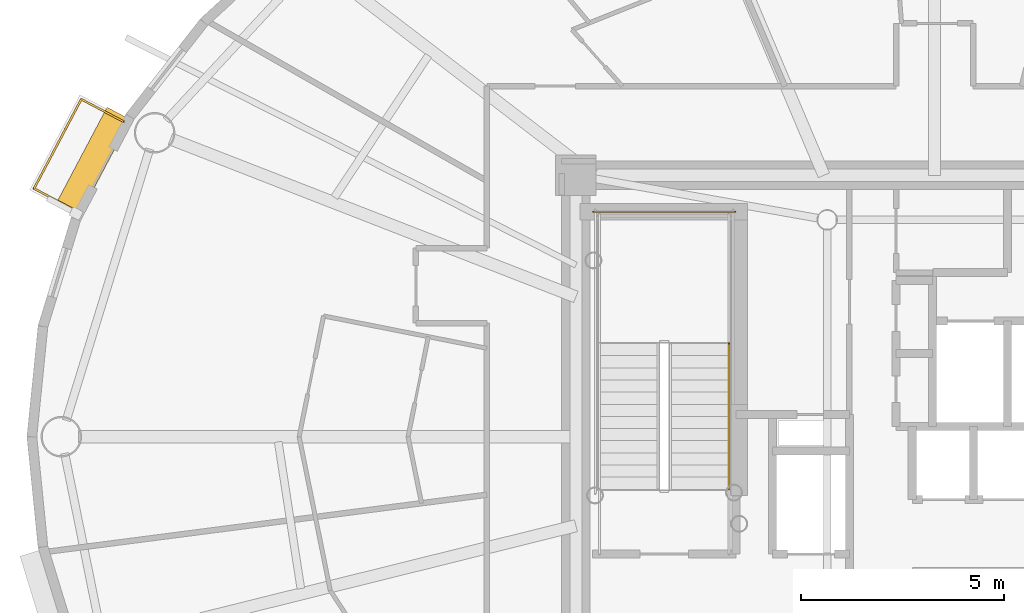
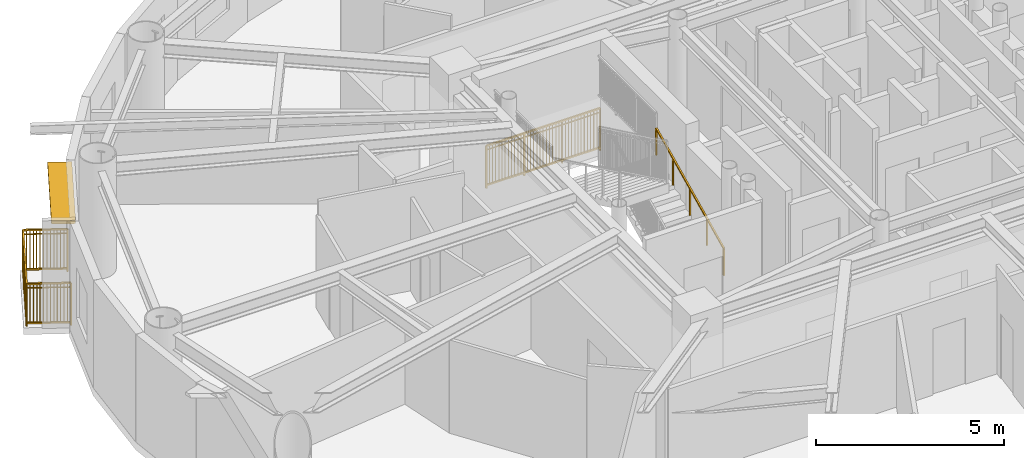
# One storey, part 15 of 18: 3 railings, 1 shading device.
"""IFC4 building model written with IfcOpenShell, lengths in metres."""

import ifcopenshell
import ifcopenshell.guid

model = None  # the IFC model being written
_history = None  # IfcOwnerHistory: only IFC2X3 demands one
_inside = {}  # id of a spatial element -> (the spatial element, [elements in it])
_under = {}  # id of a project, library or spatial element -> (it, [spatial elements below it])
_declared = {}  # id of a project -> (the project, [libraries it declares])
_typed = {}  # id of a type object -> (the type object, [elements of that type])
_made_of = {}  # id of a material, layer set ... -> (it, [elements and type objects made of it])


def new_model(schema):
    """Start an empty IFC model of exactly this schema.

    Asked for "IFC4X3", IfcOpenShell would pick the latest addendum, in which some entities
    have other attributes; the version numbers below select the first issue.
    IFC2X3 requires an IfcOwnerHistory on every rooted entity: one is made here for all.
    """
    global model, _history
    if schema == "IFC4X3":
        model = ifcopenshell.file(schema_version=(4, 3, 0, 0))
    else:
        model = ifcopenshell.file(schema=schema)
    _inside.clear()
    _under.clear()
    _declared.clear()
    _typed.clear()
    _made_of.clear()
    _history = None
    if model.schema == "IFC2X3":
        org = make("IfcOrganization", Name="unknown")
        user = make(
            "IfcPersonAndOrganization",
            ThePerson=make("IfcPerson", FamilyName="unknown"),
            TheOrganization=org,
        )
        app = make(
            "IfcApplication",
            ApplicationDeveloper=org,
            Version="unknown",
            ApplicationFullName="unknown",
            ApplicationIdentifier="unknown",
        )
        _history = make(
            "IfcOwnerHistory",
            OwningUser=user,
            OwningApplication=app,
            ChangeAction="ADDED",
            CreationDate=0,
        )
    return model


def make(cls, **values):
    """One entity of the class cls with the attributes given. An attribute that is None is left unset."""
    return model.create_entity(
        cls, **{name: value for name, value in values.items() if value is not None}
    )


def rooted(cls, **values):
    """An entity with a GlobalId (a new one), such as an element, a storey or a relation."""
    return make(cls, GlobalId=ifcopenshell.guid.new(), OwnerHistory=_history, **values)


def si_unit(unit_type, name, prefix=None):
    """IfcSIUnit, for example si_unit("LENGTHUNIT", "METRE", prefix="MILLI")."""
    return make("IfcSIUnit", UnitType=unit_type, Prefix=prefix, Name=name)


def assignment(units):
    """IfcUnitAssignment: the units of a project."""
    return None if units is None else make("IfcUnitAssignment", Units=units)


def point(xyz):
    """IfcCartesianPoint."""
    return None if xyz is None else make("IfcCartesianPoint", Coordinates=xyz)


def direction(xyz):
    """IfcDirection."""
    return None if xyz is None else make("IfcDirection", DirectionRatios=xyz)


def frame(location, z_axis=None, x_axis=None):
    """IfcAxis2Placement3D, a coordinate frame: its origin and axes. An axis left out is left unset."""
    return make(
        "IfcAxis2Placement3D",
        Location=point(location),
        Axis=direction(z_axis),
        RefDirection=direction(x_axis),
    )


def frame_2d(location, x_axis=None):
    """IfcAxis2Placement2D, a coordinate frame in the plane: its origin and x axis."""
    return make(
        "IfcAxis2Placement2D", Location=point(location), RefDirection=direction(x_axis)
    )


def origin():
    """The frame at (0, 0, 0) with its axes left unset."""
    return frame((0.0, 0.0, 0.0))


def origin_2d():
    """The frame at (0, 0) in the plane with its x axis left unset."""
    return frame_2d((0.0, 0.0))


def place(relative_to, where):
    """IfcLocalPlacement: puts the frame where relative to a parent placement (None: the world)."""
    return make(
        "IfcLocalPlacement", PlacementRelTo=relative_to, RelativePlacement=where
    )


def context(
    kind, dimensions, precision=None, world=None, true_north=None, identifier=None
):
    """IfcGeometricRepresentationContext, for example the 3D "Model" context."""
    return make(
        "IfcGeometricRepresentationContext",
        ContextIdentifier=identifier,
        ContextType=kind,
        CoordinateSpaceDimension=dimensions,
        Precision=precision,
        WorldCoordinateSystem=world,
        TrueNorth=true_north,
    )


def subcontext(parent, identifier, kind, view, scale=None):
    """IfcGeometricRepresentationSubContext, for example "Body" below "Model"."""
    return make(
        "IfcGeometricRepresentationSubContext",
        ContextIdentifier=identifier,
        ContextType=kind,
        ParentContext=parent,
        TargetScale=scale,
        TargetView=view,
    )


def project(units=None, contexts=None):
    """IfcProject with its units and contexts."""
    return rooted(
        "IfcProject",
        Name="project",
        RepresentationContexts=contexts,
        UnitsInContext=assignment(units),
    )


def spatial(cls, under=None, at=None, **own):
    """A site, building, storey or space (cls), placed at a placement, below another one or the project."""
    s = rooted(cls, ObjectPlacement=at, **own)
    if under is not None:
        _under.setdefault(under.id(), (under, []))[1].append(s)
    return s


def profile(cls, at=None, kind="AREA", **sizes):
    """A parametric profile (cls). Its sizes go by their IFC names, for example OverallWidth=200.0."""
    return make(cls, ProfileType=kind, Position=at, **sizes)


def rectangle(**sizes):
    """IfcRectangleProfileDef."""
    return profile("IfcRectangleProfileDef", **sizes)


def extrude(swept, where, along, depth):
    """IfcExtrudedAreaSolid: the profile swept, set in the frame where, extruded along a direction by depth."""
    return make(
        "IfcExtrudedAreaSolid",
        SweptArea=swept,
        Position=where,
        ExtrudedDirection=direction(along),
        Depth=depth,
    )


def shape(context_of_items, identifier, shape_type, items):
    """IfcShapeRepresentation: the items that make up one representation, for example the "Body"."""
    return make(
        "IfcShapeRepresentation",
        ContextOfItems=context_of_items,
        RepresentationIdentifier=identifier,
        RepresentationType=shape_type,
        Items=items,
    )


def source(mapping_origin, context_of_items, identifier, shape_type, items):
    """IfcRepresentationMap: a shape defined once, which mapped items show again and again."""
    return make(
        "IfcRepresentationMap",
        MappingOrigin=mapping_origin,
        MappedRepresentation=shape(context_of_items, identifier, shape_type, items),
    )


def transform(
    local_origin,
    x_axis=None,
    y_axis=None,
    z_axis=None,
    scale=None,
    scale2=None,
    scale3=None,
    uniform=True,
):
    """IfcCartesianTransformationOperator3D, or its non-uniform kind. x_axis, y_axis, z_axis: its Axis1, 2, 3."""
    if uniform:
        return make(
            "IfcCartesianTransformationOperator3D",
            Axis1=direction(x_axis),
            Axis2=direction(y_axis),
            LocalOrigin=point(local_origin),
            Scale=scale,
            Axis3=direction(z_axis),
        )
    return make(
        "IfcCartesianTransformationOperator3DnonUniform",
        Axis1=direction(x_axis),
        Axis2=direction(y_axis),
        LocalOrigin=point(local_origin),
        Scale=scale,
        Axis3=direction(z_axis),
        Scale2=scale2,
        Scale3=scale3,
    )


def mapped(mapping_source, mapping_target):
    """IfcMappedItem: shows the shape of a source again, moved by a transform."""
    return make(
        "IfcMappedItem", MappingSource=mapping_source, MappingTarget=mapping_target
    )


def material(Name=None, Category=None):
    """IfcMaterial."""
    return make("IfcMaterial", Name=Name, Category=Category)


def layer(
    of_material, thickness, ventilated=None, Name=None, Category=None, Priority=None
):
    """IfcMaterialLayer: one layer of a wall or slab, of a material (None: an air gap)."""
    return make(
        "IfcMaterialLayer",
        Material=of_material,
        LayerThickness=thickness,
        IsVentilated=ventilated,
        Name=Name,
        Category=Category,
        Priority=Priority,
    )


def layer_set(layers, Name=None):
    """IfcMaterialLayerSet."""
    return make("IfcMaterialLayerSet", MaterialLayers=layers, LayerSetName=Name)


def made_of(thing, what):
    """Note that an element or type object is made of a material, layer set ...; save() writes the relation."""
    if what is not None:
        _made_of.setdefault(what.id(), (what, []))[1].append(thing)
    return thing


def type_object(cls, material=None, **own):
    """A type object (cls), such as IfcWallType, which elements share."""
    return made_of(rooted(cls, **own), material)


def element(
    cls,
    number,
    at=None,
    inside=None,
    cuts=None,
    type_object=None,
    material=None,
    context=None,
    identifier="Body",
    shape_type=None,
    held_by="IfcProductDefinitionShape",
    body=None,
    shapes=None,
    **own,
):
    """One element of the class cls, such as IfcWall. Its Tag is "e" and its number.

    at: its placement. inside: the storey or other place that contains it. cuts: it is an
    opening in that element (IfcRelVoidsElement). A single representation is given by context,
    identifier, shape_type and body (its items); several are given by shapes. held_by: the class
    of the entity that holds the representations. save() writes the other relations.
    """
    e = rooted(cls, Tag="e%d" % number, ObjectPlacement=at, **own)
    if body is not None:
        shapes = [shape(context, identifier, shape_type, body)]
    if shapes is not None:
        e.Representation = make(held_by, Representations=shapes)
    if inside is not None:
        _inside.setdefault(inside.id(), (inside, []))[1].append(e)
    if cuts is not None:
        rooted(
            "IfcRelVoidsElement", RelatingBuildingElement=cuts, RelatedOpeningElement=e
        )
    if type_object is not None:
        _typed.setdefault(type_object.id(), (type_object, []))[1].append(e)
    return made_of(e, material)


def aggregate(whole, parts):
    """IfcRelAggregates: a whole, such as a stair, and the parts it consists of."""
    return rooted("IfcRelAggregates", RelatingObject=whole, RelatedObjects=parts)


def save(model, path):
    """Write the relations noted so far, then the file.

    IfcRelAggregates (storeys below a building ...), IfcRelContainedInSpatialStructure (elements
    in a storey), IfcRelDefinesByType, IfcRelAssociatesMaterial and IfcRelDeclares: one each for
    every whole, place, type object, material and project.
    """
    for whole, parts in _under.values():
        aggregate(whole, parts)
    for where, things in _inside.values():
        rooted(
            "IfcRelContainedInSpatialStructure",
            RelatedElements=things,
            RelatingStructure=where,
        )
    for kind, things in _typed.values():
        rooted("IfcRelDefinesByType", RelatedObjects=things, RelatingType=kind)
    for what, things in _made_of.values():
        rooted("IfcRelAssociatesMaterial", RelatedObjects=things, RelatingMaterial=what)
    for by, libraries in _declared.values():
        rooted("IfcRelDeclares", RelatingContext=by, RelatedDefinitions=libraries)
    model.write(path)


model = new_model("IFC4")

# Units and contexts
model_context = context("Model", 3, precision=1e-05, world=origin(), true_north=direction((0.0, 1.0)))
body_context = subcontext(model_context, "Body", "Model", "MODEL_VIEW")
ifc_project = project(units=[si_unit("LENGTHUNIT", "METRE"), si_unit("AREAUNIT", "SQUARE_METRE"), si_unit("VOLUMEUNIT", "CUBIC_METRE"), si_unit("PLANEANGLEUNIT", "RADIAN"), si_unit("MASSUNIT", "GRAM", prefix="KILO")], contexts=[model_context])

# Site, building, storey
site_placement = place(None, origin())
site = spatial("IfcSite", under=ifc_project, at=site_placement, CompositionType="ELEMENT")
building_placement = place(site_placement, origin())
building = spatial("IfcBuilding", under=site, at=building_placement, Name="Linh Dai School and Residence Tower", CompositionType="ELEMENT")
storey_placement = place(building_placement, frame((0.0, 0.0, 295.5)))
storey = spatial("IfcBuildingStorey", under=building, at=storey_placement, Name="L73", CompositionType="ELEMENT", Elevation=295.5)

# Shading device
ifc_material_1 = material(Name="Terracotta Ceramic Sunshade", Category="masonry")
ifc_layer = layer(ifc_material_1, 0.10009765625)
ifc_layer_set = layer_set([ifc_layer], Name="Terracotta Ceramic Sunshade")
shading_device_type = type_object("IfcShadingDeviceType", Name="SHD-TC-650", PredefinedType="USERDEFINED", material=ifc_layer_set)
shared_shape_1 = source(origin(), body_context, "Body", "SweptSolid", [
    extrude(rectangle(XDim=2.739501953125, YDim=0.64990234375, at=origin_2d()), origin(), (0.0, 0.0, 1.0), 0.10009765625),
])
shading_device_placement = place(storey_placement, frame((15.22705078125, 33.766845703125, 3.3798828125), z_axis=(0.0, 0.0, 1.0), x_axis=(0.467603531201, 0.883938310975, 0.0)))
element("IfcShadingDevice", 1, at=shading_device_placement, inside=storey, type_object=shading_device_type, Name="L73 Terracotta Horizontal Sunshade Band 18", ObjectType="SUNSHADE", PredefinedType="USERDEFINED", context=body_context, shape_type="MappedRepresentation", body=[
    mapped(shared_shape_1, transform((0.0, 0.0, 0.0), x_axis=(1.0, 0.0, 0.0), y_axis=(0.0, 1.0, 0.0), z_axis=(0.0, 0.0, 1.0), scale=1.0)),
])

# Railings
ifc_material_2 = material(Name="Structural Steel S355JR", Category="steel")
railing_type_1 = type_object("IfcRailingType", Name="RL-BAL-1400", PredefinedType="BALUSTRADE", material=ifc_material_2)
shared_shape_2 = source(origin(), body_context, "Body", "SweptSolid", [
    extrude(rectangle(XDim=0.048095703125, YDim=0.048095703125, at=origin_2d()), frame((0.0, 0.0, 1.3759765625), z_axis=(-0.883928800226, 0.467621509483, 0.0), x_axis=(-0.467621509483, -0.883928800226, 0.0)), (0.0, 0.0, 1.0), 1.179931640625),
    extrude(rectangle(XDim=0.048095703125, YDim=0.048095703125, at=origin_2d()), frame((0.0, 0.0, 0.10009765625), z_axis=(-0.883928800226, 0.467621509483, 0.0), x_axis=(-0.467621509483, -0.883928800226, 0.0)), (0.0, 0.0, 1.0), 1.179931640625),
    extrude(rectangle(XDim=0.030029296875, YDim=0.030029296875, at=origin_2d()), frame((0.0, 0.0, 1.239990234375), z_axis=(-0.883928800226, 0.467621509483, 0.0), x_axis=(-0.467621509483, -0.883928800226, 0.0)), (0.0, 0.0, 1.0), 1.179931640625),
    extrude(rectangle(XDim=0.02001953125, YDim=0.02001953125, at=origin_2d()), frame((-0.080322265625, 0.04248046875, 0.10009765625)), (0.0, 0.0, 1.0), 1.251708984375),
    extrude(rectangle(XDim=0.02001953125, YDim=0.02001953125, at=origin_2d()), frame((-0.160400390625, 0.0849609375, 0.10009765625)), (0.0, 0.0, 1.0), 1.251708984375),
    extrude(rectangle(XDim=0.02001953125, YDim=0.02001953125, at=origin_2d()), frame((-0.24072265625, 0.12744140625, 0.10009765625)), (0.0, 0.0, 1.0), 1.251708984375),
    extrude(rectangle(XDim=0.02001953125, YDim=0.02001953125, at=origin_2d()), frame((-0.32080078125, 0.169677734375, 0.10009765625)), (0.0, 0.0, 1.0), 1.251708984375),
    extrude(rectangle(XDim=0.02001953125, YDim=0.02001953125, at=origin_2d()), frame((-0.401123046875, 0.212158203125, 0.10009765625)), (0.0, 0.0, 1.0), 1.251708984375),
    extrude(rectangle(XDim=0.02001953125, YDim=0.02001953125, at=origin_2d()), frame((-0.4814453125, 0.254638671875, 0.10009765625)), (0.0, 0.0, 1.0), 1.251708984375),
    extrude(rectangle(XDim=0.02001953125, YDim=0.02001953125, at=origin_2d()), frame((-0.5615234375, 0.297119140625, 0.10009765625)), (0.0, 0.0, 1.0), 1.251708984375),
    extrude(rectangle(XDim=0.02001953125, YDim=0.02001953125, at=origin_2d()), frame((-0.641845703125, 0.339599609375, 0.10009765625)), (0.0, 0.0, 1.0), 1.251708984375),
    extrude(rectangle(XDim=0.02001953125, YDim=0.02001953125, at=origin_2d()), frame((-0.72216796875, 0.382080078125, 0.10009765625)), (0.0, 0.0, 1.0), 1.251708984375),
    extrude(rectangle(XDim=0.02001953125, YDim=0.02001953125, at=origin_2d()), frame((-0.80224609375, 0.42431640625, 0.10009765625)), (0.0, 0.0, 1.0), 1.251708984375),
    extrude(rectangle(XDim=0.02001953125, YDim=0.02001953125, at=origin_2d()), frame((-0.882568359375, 0.466796875, 0.10009765625)), (0.0, 0.0, 1.0), 1.251708984375),
    extrude(rectangle(XDim=0.02001953125, YDim=0.02001953125, at=origin_2d()), frame((-0.962646484375, 0.50927734375, 0.10009765625)), (0.0, 0.0, 1.0), 1.251708984375),
    extrude(rectangle(XDim=0.048095703125, YDim=0.048095703125, at=origin_2d()), frame((-1.04296875, 0.5517578125, 1.3759765625), z_axis=(0.467577317515, 0.883952177522, 0.0), x_axis=(-0.883952177522, 0.467577317515, 0.0)), (0.0, 0.0, 1.0), 2.49365234375),
    extrude(rectangle(XDim=0.048095703125, YDim=0.048095703125, at=origin_2d()), frame((-1.04296875, 0.5517578125, 0.10009765625), z_axis=(0.467577317515, 0.883952177522, 0.0), x_axis=(-0.883952177522, 0.467577317515, 0.0)), (0.0, 0.0, 1.0), 2.49365234375),
    extrude(rectangle(XDim=0.030029296875, YDim=0.030029296875, at=origin_2d()), frame((-1.04296875, 0.5517578125, 1.239990234375), z_axis=(0.467577317515, 0.883952177522, 0.0), x_axis=(-0.883952177522, 0.467577317515, 0.0)), (0.0, 0.0, 1.0), 2.49365234375),
    extrude(rectangle(XDim=0.02001953125, YDim=0.02001953125, at=origin_2d()), frame((-0.998046875, 0.636474609375, 0.10009765625)), (0.0, 0.0, 1.0), 1.251708984375),
    extrude(rectangle(XDim=0.02001953125, YDim=0.02001953125, at=origin_2d()), frame((-0.953369140625, 0.721435546875, 0.10009765625)), (0.0, 0.0, 1.0), 1.251708984375),
    extrude(rectangle(XDim=0.02001953125, YDim=0.02001953125, at=origin_2d()), frame((-0.908447265625, 0.80615234375, 0.10009765625)), (0.0, 0.0, 1.0), 1.251708984375),
    extrude(rectangle(XDim=0.02001953125, YDim=0.02001953125, at=origin_2d()), frame((-0.863525390625, 0.890869140625, 0.10009765625)), (0.0, 0.0, 1.0), 1.251708984375),
    extrude(rectangle(XDim=0.02001953125, YDim=0.02001953125, at=origin_2d()), frame((-0.81884765625, 0.9755859375, 0.10009765625)), (0.0, 0.0, 1.0), 1.251708984375),
    extrude(rectangle(XDim=0.02001953125, YDim=0.02001953125, at=origin_2d()), frame((-0.77392578125, 1.060546875, 0.10009765625)), (0.0, 0.0, 1.0), 1.251708984375),
    extrude(rectangle(XDim=0.02001953125, YDim=0.02001953125, at=origin_2d()), frame((-0.72900390625, 1.145263671875, 0.10009765625)), (0.0, 0.0, 1.0), 1.251708984375),
    extrude(rectangle(XDim=0.02001953125, YDim=0.02001953125, at=origin_2d()), frame((-0.68408203125, 1.22998046875, 0.10009765625)), (0.0, 0.0, 1.0), 1.251708984375),
    extrude(rectangle(XDim=0.02001953125, YDim=0.02001953125, at=origin_2d()), frame((-0.594482421875, 1.399658203125, 0.10009765625)), (0.0, 0.0, 1.0), 1.251708984375),
    extrude(rectangle(XDim=0.02001953125, YDim=0.02001953125, at=origin_2d()), frame((-0.549560546875, 1.484375, 0.10009765625)), (0.0, 0.0, 1.0), 1.251708984375),
    extrude(rectangle(XDim=0.02001953125, YDim=0.02001953125, at=origin_2d()), frame((-0.5048828125, 1.569091796875, 0.10009765625)), (0.0, 0.0, 1.0), 1.251708984375),
    extrude(rectangle(XDim=0.02001953125, YDim=0.02001953125, at=origin_2d()), frame((-0.4599609375, 1.65380859375, 0.10009765625)), (0.0, 0.0, 1.0), 1.251708984375),
    extrude(rectangle(XDim=0.02001953125, YDim=0.02001953125, at=origin_2d()), frame((-0.4150390625, 1.73876953125, 0.10009765625)), (0.0, 0.0, 1.0), 1.251708984375),
    extrude(rectangle(XDim=0.02001953125, YDim=0.02001953125, at=origin_2d()), frame((-0.370361328125, 1.823486328125, 0.10009765625)), (0.0, 0.0, 1.0), 1.251708984375),
    extrude(rectangle(XDim=0.02001953125, YDim=0.02001953125, at=origin_2d()), frame((-0.325439453125, 1.908203125, 0.10009765625)), (0.0, 0.0, 1.0), 1.251708984375),
    extrude(rectangle(XDim=0.02001953125, YDim=0.02001953125, at=origin_2d()), frame((-0.23583984375, 2.077880859375, 0.10009765625)), (0.0, 0.0, 1.0), 1.251708984375),
    extrude(rectangle(XDim=0.02001953125, YDim=0.02001953125, at=origin_2d()), frame((-0.19091796875, 2.16259765625, 0.10009765625)), (0.0, 0.0, 1.0), 1.251708984375),
    extrude(rectangle(XDim=0.02001953125, YDim=0.02001953125, at=origin_2d()), frame((-0.14599609375, 2.247314453125, 0.10009765625)), (0.0, 0.0, 1.0), 1.251708984375),
    extrude(rectangle(XDim=0.02001953125, YDim=0.02001953125, at=origin_2d()), frame((-0.10107421875, 2.332275390625, 0.10009765625)), (0.0, 0.0, 1.0), 1.251708984375),
    extrude(rectangle(XDim=0.02001953125, YDim=0.02001953125, at=origin_2d()), frame((-0.056396484375, 2.4169921875, 0.10009765625)), (0.0, 0.0, 1.0), 1.251708984375),
    extrude(rectangle(XDim=0.02001953125, YDim=0.02001953125, at=origin_2d()), frame((-0.011474609375, 2.501708984375, 0.10009765625)), (0.0, 0.0, 1.0), 1.251708984375),
    extrude(rectangle(XDim=0.02001953125, YDim=0.02001953125, at=origin_2d()), frame((0.033447265625, 2.58642578125, 0.10009765625)), (0.0, 0.0, 1.0), 1.251708984375),
    extrude(rectangle(XDim=0.02001953125, YDim=0.02001953125, at=origin_2d()), frame((0.078125, 2.67138671875, 0.10009765625)), (0.0, 0.0, 1.0), 1.251708984375),
    extrude(rectangle(XDim=0.048095703125, YDim=0.048095703125, at=origin_2d()), frame((0.123046875, 2.756103515625, 1.3759765625), z_axis=(0.883928800226, -0.467621509483, 0.0), x_axis=(0.467621509483, 0.883928800226, 0.0)), (0.0, 0.0, 1.0), 1.179931640625),
    extrude(rectangle(XDim=0.048095703125, YDim=0.048095703125, at=origin_2d()), frame((0.123046875, 2.756103515625, 0.10009765625), z_axis=(0.883928800226, -0.467621509483, 0.0), x_axis=(0.467621509483, 0.883928800226, 0.0)), (0.0, 0.0, 1.0), 1.179931640625),
    extrude(rectangle(XDim=0.030029296875, YDim=0.030029296875, at=origin_2d()), frame((0.123046875, 2.756103515625, 1.239990234375), z_axis=(0.883928800226, -0.467621509483, 0.0), x_axis=(0.467621509483, 0.883928800226, 0.0)), (0.0, 0.0, 1.0), 1.179931640625),
    extrude(rectangle(XDim=0.02001953125, YDim=0.02001953125, at=origin_2d()), frame((0.203369140625, 2.713623046875, 0.10009765625)), (0.0, 0.0, 1.0), 1.251708984375),
    extrude(rectangle(XDim=0.02001953125, YDim=0.02001953125, at=origin_2d()), frame((0.283447265625, 2.671142578125, 0.10009765625)), (0.0, 0.0, 1.0), 1.251708984375),
    extrude(rectangle(XDim=0.02001953125, YDim=0.02001953125, at=origin_2d()), frame((0.36376953125, 2.628662109375, 0.10009765625)), (0.0, 0.0, 1.0), 1.251708984375),
    extrude(rectangle(XDim=0.02001953125, YDim=0.02001953125, at=origin_2d()), frame((0.44384765625, 2.58642578125, 0.10009765625)), (0.0, 0.0, 1.0), 1.251708984375),
    extrude(rectangle(XDim=0.02001953125, YDim=0.02001953125, at=origin_2d()), frame((0.524169921875, 2.5439453125, 0.10009765625)), (0.0, 0.0, 1.0), 1.251708984375),
    extrude(rectangle(XDim=0.02001953125, YDim=0.02001953125, at=origin_2d()), frame((0.6044921875, 2.50146484375, 0.10009765625)), (0.0, 0.0, 1.0), 1.251708984375),
    extrude(rectangle(XDim=0.02001953125, YDim=0.02001953125, at=origin_2d()), frame((0.6845703125, 2.458984375, 0.10009765625)), (0.0, 0.0, 1.0), 1.251708984375),
    extrude(rectangle(XDim=0.02001953125, YDim=0.02001953125, at=origin_2d()), frame((0.764892578125, 2.41650390625, 0.10009765625)), (0.0, 0.0, 1.0), 1.251708984375),
    extrude(rectangle(XDim=0.02001953125, YDim=0.02001953125, at=origin_2d()), frame((0.84521484375, 2.3740234375, 0.10009765625)), (0.0, 0.0, 1.0), 1.251708984375),
    extrude(rectangle(XDim=0.02001953125, YDim=0.02001953125, at=origin_2d()), frame((0.92529296875, 2.331787109375, 0.10009765625)), (0.0, 0.0, 1.0), 1.251708984375),
    extrude(rectangle(XDim=0.02001953125, YDim=0.02001953125, at=origin_2d()), frame((1.005615234375, 2.289306640625, 0.10009765625)), (0.0, 0.0, 1.0), 1.251708984375),
    extrude(rectangle(XDim=0.02001953125, YDim=0.02001953125, at=origin_2d()), frame((1.085693359375, 2.246826171875, 0.10009765625)), (0.0, 0.0, 1.0), 1.251708984375),
    extrude(rectangle(XDim=0.0419921875, YDim=0.0419921875, at=origin_2d()), origin(), (0.0, 0.0, 1.0), 1.3759765625),
    extrude(rectangle(XDim=0.0419921875, YDim=0.0419921875, at=origin_2d()), frame((-1.04296875, 0.5517578125, 0.0)), (0.0, 0.0, 1.0), 1.3759765625),
    extrude(rectangle(XDim=0.0419921875, YDim=0.0419921875, at=origin_2d()), frame((-0.654296875, 1.28662109375, 0.0)), (0.0, 0.0, 1.0), 1.3759765625),
    extrude(rectangle(XDim=0.0419921875, YDim=0.0419921875, at=origin_2d()), frame((-0.265625, 2.021240234375, 0.0)), (0.0, 0.0, 1.0), 1.3759765625),
    extrude(rectangle(XDim=0.0419921875, YDim=0.0419921875, at=origin_2d()), frame((0.123046875, 2.756103515625, 0.0)), (0.0, 0.0, 1.0), 1.3759765625),
    extrude(rectangle(XDim=0.0419921875, YDim=0.0419921875, at=origin_2d()), frame((1.166015625, 2.204345703125, 0.0)), (0.0, 0.0, 1.0), 1.3759765625),
])
railing_1_placement = place(storey_placement, frame((14.82080078125, 32.571044921875, 0.0)))
element("IfcRailing", 2, at=railing_1_placement, inside=storey, type_object=railing_type_1, Name="L73 Balcony Safety Balustrade 18", PredefinedType="BALUSTRADE", context=body_context, shape_type="MappedRepresentation", body=[
    mapped(shared_shape_2, transform((0.0, 0.0, 0.0), x_axis=(1.0, 0.0, 0.0), y_axis=(0.0, 1.0, 0.0), z_axis=(0.0, 0.0, 1.0), scale=1.0)),
])
railing_type_2 = type_object("IfcRailingType", Name="RL-ST-GUARD-1400", PredefinedType="GUARDRAIL", material=ifc_material_2)
shared_shape_3 = source(origin(), body_context, "Body", "SweptSolid", [
    extrude(rectangle(XDim=0.048095703125, YDim=0.048095703125, at=origin_2d()), frame((0.0, 0.0, 1.3759765625), z_axis=(-1.0, 0.0, 0.0), x_axis=(0.0, -1.0, 0.0)), (0.0, 0.0, 1.0), 3.5),
    extrude(rectangle(XDim=0.048095703125, YDim=0.048095703125, at=origin_2d()), frame((0.0, 0.0, 0.10009765625), z_axis=(-1.0, 0.0, 0.0), x_axis=(0.0, -1.0, 0.0)), (0.0, 0.0, 1.0), 3.5),
    extrude(rectangle(XDim=0.030029296875, YDim=0.030029296875, at=origin_2d()), frame((0.0, 0.0, 1.239990234375), z_axis=(-1.0, 0.0, 0.0), x_axis=(0.0, -1.0, 0.0)), (0.0, 0.0, 1.0), 3.5),
    extrude(rectangle(XDim=0.02001953125, YDim=0.02001953125, at=origin_2d()), frame((-0.09716796875, 0.0, 0.10009765625)), (0.0, 0.0, 1.0), 1.251708984375),
    extrude(rectangle(XDim=0.02001953125, YDim=0.02001953125, at=origin_2d()), frame((-0.1943359375, 0.0, 0.10009765625)), (0.0, 0.0, 1.0), 1.251708984375),
    extrude(rectangle(XDim=0.02001953125, YDim=0.02001953125, at=origin_2d()), frame((-0.291748046875, 0.0, 0.10009765625)), (0.0, 0.0, 1.0), 1.251708984375),
    extrude(rectangle(XDim=0.02001953125, YDim=0.02001953125, at=origin_2d()), frame((-0.388916015625, 0.0, 0.10009765625)), (0.0, 0.0, 1.0), 1.251708984375),
    extrude(rectangle(XDim=0.02001953125, YDim=0.02001953125, at=origin_2d()), frame((-0.486083984375, 0.0, 0.10009765625)), (0.0, 0.0, 1.0), 1.251708984375),
    extrude(rectangle(XDim=0.02001953125, YDim=0.02001953125, at=origin_2d()), frame((-0.583251953125, 0.0, 0.10009765625)), (0.0, 0.0, 1.0), 1.251708984375),
    extrude(rectangle(XDim=0.02001953125, YDim=0.02001953125, at=origin_2d()), frame((-0.6806640625, 0.0, 0.10009765625)), (0.0, 0.0, 1.0), 1.251708984375),
    extrude(rectangle(XDim=0.02001953125, YDim=0.02001953125, at=origin_2d()), frame((-0.77783203125, 0.0, 0.10009765625)), (0.0, 0.0, 1.0), 1.251708984375),
    extrude(rectangle(XDim=0.02001953125, YDim=0.02001953125, at=origin_2d()), frame((-0.875, 0.0, 0.10009765625)), (0.0, 0.0, 1.0), 1.251708984375),
    extrude(rectangle(XDim=0.02001953125, YDim=0.02001953125, at=origin_2d()), frame((-0.97216796875, 0.0, 0.10009765625)), (0.0, 0.0, 1.0), 1.251708984375),
    extrude(rectangle(XDim=0.02001953125, YDim=0.02001953125, at=origin_2d()), frame((-1.0693359375, 0.0, 0.10009765625)), (0.0, 0.0, 1.0), 1.251708984375),
    extrude(rectangle(XDim=0.02001953125, YDim=0.02001953125, at=origin_2d()), frame((-1.263916015625, 0.0, 0.10009765625)), (0.0, 0.0, 1.0), 1.251708984375),
    extrude(rectangle(XDim=0.02001953125, YDim=0.02001953125, at=origin_2d()), frame((-1.361083984375, 0.0, 0.10009765625)), (0.0, 0.0, 1.0), 1.251708984375),
    extrude(rectangle(XDim=0.02001953125, YDim=0.02001953125, at=origin_2d()), frame((-1.458251953125, 0.0, 0.10009765625)), (0.0, 0.0, 1.0), 1.251708984375),
    extrude(rectangle(XDim=0.02001953125, YDim=0.02001953125, at=origin_2d()), frame((-1.5556640625, 0.0, 0.10009765625)), (0.0, 0.0, 1.0), 1.251708984375),
    extrude(rectangle(XDim=0.02001953125, YDim=0.02001953125, at=origin_2d()), frame((-1.65283203125, 0.0, 0.10009765625)), (0.0, 0.0, 1.0), 1.251708984375),
    extrude(rectangle(XDim=0.02001953125, YDim=0.02001953125, at=origin_2d()), frame((-1.75, 0.0, 0.10009765625)), (0.0, 0.0, 1.0), 1.251708984375),
    extrude(rectangle(XDim=0.02001953125, YDim=0.02001953125, at=origin_2d()), frame((-1.84716796875, 0.0, 0.10009765625)), (0.0, 0.0, 1.0), 1.251708984375),
    extrude(rectangle(XDim=0.02001953125, YDim=0.02001953125, at=origin_2d()), frame((-1.9443359375, 0.0, 0.10009765625)), (0.0, 0.0, 1.0), 1.251708984375),
    extrude(rectangle(XDim=0.02001953125, YDim=0.02001953125, at=origin_2d()), frame((-2.041748046875, 0.0, 0.10009765625)), (0.0, 0.0, 1.0), 1.251708984375),
    extrude(rectangle(XDim=0.02001953125, YDim=0.02001953125, at=origin_2d()), frame((-2.138916015625, 0.0, 0.10009765625)), (0.0, 0.0, 1.0), 1.251708984375),
    extrude(rectangle(XDim=0.02001953125, YDim=0.02001953125, at=origin_2d()), frame((-2.236083984375, 0.0, 0.10009765625)), (0.0, 0.0, 1.0), 1.251708984375),
    extrude(rectangle(XDim=0.02001953125, YDim=0.02001953125, at=origin_2d()), frame((-2.4306640625, 0.0, 0.10009765625)), (0.0, 0.0, 1.0), 1.251708984375),
    extrude(rectangle(XDim=0.02001953125, YDim=0.02001953125, at=origin_2d()), frame((-2.52783203125, 0.0, 0.10009765625)), (0.0, 0.0, 1.0), 1.251708984375),
    extrude(rectangle(XDim=0.02001953125, YDim=0.02001953125, at=origin_2d()), frame((-2.625, 0.0, 0.10009765625)), (0.0, 0.0, 1.0), 1.251708984375),
    extrude(rectangle(XDim=0.02001953125, YDim=0.02001953125, at=origin_2d()), frame((-2.72216796875, 0.0, 0.10009765625)), (0.0, 0.0, 1.0), 1.251708984375),
    extrude(rectangle(XDim=0.02001953125, YDim=0.02001953125, at=origin_2d()), frame((-2.8193359375, 0.0, 0.10009765625)), (0.0, 0.0, 1.0), 1.251708984375),
    extrude(rectangle(XDim=0.02001953125, YDim=0.02001953125, at=origin_2d()), frame((-2.916748046875, 0.0, 0.10009765625)), (0.0, 0.0, 1.0), 1.251708984375),
    extrude(rectangle(XDim=0.02001953125, YDim=0.02001953125, at=origin_2d()), frame((-3.013916015625, 0.0, 0.10009765625)), (0.0, 0.0, 1.0), 1.251708984375),
    extrude(rectangle(XDim=0.02001953125, YDim=0.02001953125, at=origin_2d()), frame((-3.111083984375, 0.0, 0.10009765625)), (0.0, 0.0, 1.0), 1.251708984375),
    extrude(rectangle(XDim=0.02001953125, YDim=0.02001953125, at=origin_2d()), frame((-3.208251953125, 0.0, 0.10009765625)), (0.0, 0.0, 1.0), 1.251708984375),
    extrude(rectangle(XDim=0.02001953125, YDim=0.02001953125, at=origin_2d()), frame((-3.3056640625, 0.0, 0.10009765625)), (0.0, 0.0, 1.0), 1.251708984375),
    extrude(rectangle(XDim=0.02001953125, YDim=0.02001953125, at=origin_2d()), frame((-3.40283203125, 0.0, 0.10009765625)), (0.0, 0.0, 1.0), 1.251708984375),
    extrude(rectangle(XDim=0.0419921875, YDim=0.0419921875, at=origin_2d()), origin(), (0.0, 0.0, 1.0), 1.3759765625),
    extrude(rectangle(XDim=0.0419921875, YDim=0.0419921875, at=origin_2d()), frame((-1.166748046875, 0.0, 0.0)), (0.0, 0.0, 1.0), 1.3759765625),
    extrude(rectangle(XDim=0.0419921875, YDim=0.0419921875, at=origin_2d()), frame((-2.333251953125, 0.0, 0.0)), (0.0, 0.0, 1.0), 1.3759765625),
    extrude(rectangle(XDim=0.0419921875, YDim=0.0419921875, at=origin_2d()), frame((-3.5, 0.0, 0.0)), (0.0, 0.0, 1.0), 1.3759765625),
])
railing_2_placement = place(storey_placement, frame((31.080078125, 32.550048828125, 0.0)))
element("IfcRailing", 3, at=railing_2_placement, inside=storey, type_object=railing_type_2, Name="L73 ST1 stair guard 12", PredefinedType="GUARDRAIL", context=body_context, shape_type="MappedRepresentation", body=[
    mapped(shared_shape_3, transform((0.0, 0.0, 0.0), x_axis=(1.0, 0.0, 0.0), y_axis=(0.0, 1.0, 0.0), z_axis=(0.0, 0.0, 1.0), scale=1.0)),
])
ifc_material_3 = material(Name="Brushed Stainless Steel Handrail", Category="steel")
railing_type_3 = type_object("IfcRailingType", Name="RL-ST-HANDRAIL-900", PredefinedType="HANDRAIL", material=ifc_material_3)
shared_shape_4 = source(origin(), body_context, "Body", "SweptSolid", [
    extrude(rectangle(XDim=0.048095703125, YDim=0.048095703125, at=origin_2d()), frame((0.0, 0.0, 0.8759765625), z_axis=(0.0, 0.901262522062, 0.433273431364), x_axis=(-1.0, 0.0, 0.0)), (0.0, 0.0, 1.0), 3.994384765625),
    extrude(rectangle(XDim=0.0419921875, YDim=0.0419921875, at=origin_2d()), origin(), (0.0, 0.0, 1.0), 0.8759765625),
    extrude(rectangle(XDim=0.0419921875, YDim=0.0419921875, at=origin_2d()), frame((0.0, 0.89990234375, 0.4326171875)), (0.0, 0.0, 1.0), 0.8759765625),
    extrude(rectangle(XDim=0.0419921875, YDim=0.0419921875, at=origin_2d()), frame((0.0, 1.800048828125, 0.865234375)), (0.0, 0.0, 1.0), 0.8759765625),
    extrude(rectangle(XDim=0.0419921875, YDim=0.0419921875, at=origin_2d()), frame((0.0, 2.7001953125, 1.298095703125)), (0.0, 0.0, 1.0), 0.8759765625),
    extrude(rectangle(XDim=0.0419921875, YDim=0.0419921875, at=origin_2d()), frame((0.0, 3.60009765625, 1.730712890625)), (0.0, 0.0, 1.0), 0.8759765625),
])
railing_3_placement = place(storey_placement, frame((30.929931640625, 25.699951171875, 0.144287109375)))
element("IfcRailing", 4, at=railing_3_placement, inside=storey, type_object=railing_type_3, Name="L73 ST1 stair handrail 1", PredefinedType="HANDRAIL", context=body_context, shape_type="MappedRepresentation", body=[
    mapped(shared_shape_4, transform((0.0, 0.0, 0.0), x_axis=(1.0, 0.0, 0.0), y_axis=(0.0, 1.0, 0.0), z_axis=(0.0, 0.0, 1.0), scale=1.0)),
])

save(model, "model.ifc")
